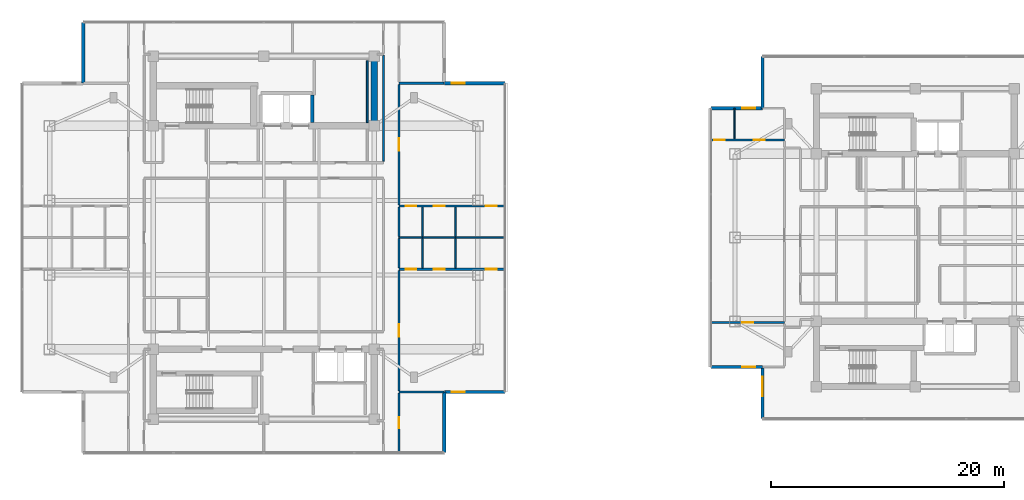
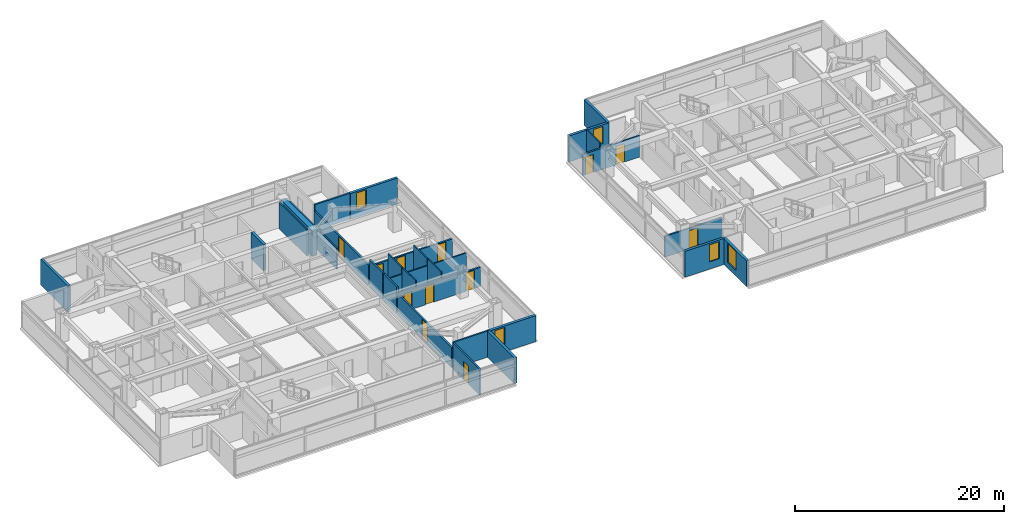
# One storey, part 14 of 24: 29 walls, 12 doors, 5 windows, 17 openings.
"""IFC4 building model written with IfcOpenShell, lengths in metres."""

from ifc_helpers import new_model, si_unit, direction, frame, frame_2d, origin, place, context, subcontext, project, spatial, rectangle, extrude, material, layer, layer_set, type_object, element, fill, save


model = new_model("IFC4")

# Units and contexts
model_context = context("Model", 3, precision=1e-05, world=origin(), true_north=direction((0.0, 1.0)))
body_context = subcontext(model_context, "Body", "Model", "MODEL_VIEW")
ifc_project = project(units=[si_unit("LENGTHUNIT", "METRE"), si_unit("AREAUNIT", "SQUARE_METRE"), si_unit("VOLUMEUNIT", "CUBIC_METRE"), si_unit("PLANEANGLEUNIT", "RADIAN"), si_unit("MASSUNIT", "GRAM", prefix="KILO")], contexts=[model_context])

# Site, building, storey
site_placement = place(None, origin())
site = spatial("IfcSite", under=ifc_project, at=site_placement, CompositionType="ELEMENT")
building_placement = place(site_placement, origin())
building = spatial("IfcBuilding", under=site, at=building_placement, Name="Mirazonda Arch Towers", CompositionType="ELEMENT")
storey_placement = place(building_placement, frame((0.0, 0.0, 199.89990234375)))
storey = spatial("IfcBuildingStorey", under=building, at=storey_placement, Name="L57", CompositionType="ELEMENT", Elevation=199.89990234375)

# Wall
ifc_material_1 = material(Name="Concrete C50/60", Category="concrete")
ifc_layer_1 = layer(ifc_material_1, 0.550048828125, Name="WALL-CORE-550")
ifc_layer_set_1 = layer_set([ifc_layer_1], Name="Concrete C50/60")
wall_type_1 = type_object("IfcWallType", Name="WALL-CORE-550", PredefinedType="SHEAR", material=ifc_layer_set_1)
wall_1_placement = place(storey_placement, frame((30.0, 37.60009765625, 0.0), z_axis=(0.0, 0.0, 1.0), x_axis=(0.0, 1.0, 0.0)))
element("IfcWall", 1, at=wall_1_placement, inside=storey, type_object=wall_type_1, Name="L57 T1N-E Core Shear Wall", PredefinedType="SHEAR", context=body_context, shape_type="SweptSolid", body=[
    extrude(rectangle(XDim=6.0, YDim=0.550048828125, at=frame_2d((3.0, 0.0))), origin(), (0.0, 0.0, 1.0), 3.050048828125),
])

# Wall, opening, window
ifc_material_2 = material(Name="Precast Concrete C40/50", Category="concrete")
ifc_layer_2 = layer(ifc_material_2, 0.280029296875, Name="WALL-EXT-WALL-280")
ifc_layer_set_2 = layer_set([ifc_layer_2], Name="Precast Concrete C40/50")
wall_type_2 = type_object("IfcWallType", Name="WALL-EXT-WALL-280", PredefinedType="SOLIDWALL", material=ifc_layer_set_2)
wall_2_placement = place(storey_placement, frame((36.014892578125, 14.735107421875, 0.0), z_axis=(0.0, 0.0, 1.0), x_axis=(1.0, 0.0, 0.0)))
wall_2 = element("IfcWall", 2, at=wall_2_placement, inside=storey, type_object=wall_type_2, Name="L57 T1 Corner Notch Return Wall WL-L57-T1-CSE1", PredefinedType="SOLIDWALL", context=body_context, shape_type="SweptSolid", body=[
    extrude(rectangle(XDim=5.215087890625, YDim=0.280029296875, at=frame_2d((2.607421875, 0.0))), origin(), (0.0, 0.0, 1.0), 3.030029296875),
])
opening_1_placement = place(wall_2_placement, frame((0.64990234375, 0.0, 0.85009765625)))
opening_1 = element("IfcOpeningElement", 3, at=opening_1_placement, cuts=wall_2, Name="Opening WN-108", PredefinedType="OPENING", context=body_context, shape_type="SweptSolid", body=[
    extrude(rectangle(XDim=1.10009765625, YDim=2.0, at=frame_2d((0.550048828125, 1.0))), frame((0.0, 0.14990234375, 0.0), z_axis=(0.0, -1.0, 0.0), x_axis=(1.0, 0.0, 0.0)), (0.0, 0.0, 1.0), 0.300048828125),
])
ifc_material_3 = material(Name="Insulated Low-E Solar Glass", Category="glass")
window_type_1 = type_object("IfcWindowType", Name="WIN-NOTCH-1100x2000", PartitioningType="SINGLE_PANEL", PredefinedType="WINDOW", material=ifc_material_3)
window_1_placement = place(opening_1_placement, origin())
window_1 = element("IfcWindow", 4, at=window_1_placement, inside=storey, type_object=window_type_1, Name="L57 Punched Facade Window WN-L57-T1-CSE1", OverallHeight=2.0, OverallWidth=1.10009765625, PartitioningType="SINGLE_PANEL", PredefinedType="WINDOW", context=body_context, shape_type="SweptSolid", body=[
    extrude(rectangle(XDim=1.10009765625, YDim=2.0, at=frame_2d((0.550048828125, 1.0))), frame((0.0, 0.030029296875, 0.0), z_axis=(0.0, -1.0, 0.0), x_axis=(1.0, 0.0, 0.0)), (0.0, 0.0, 1.0), 0.06005859375),
])
fill(opening_1, window_1)

# Walls
for number, where, z_axis, x_axis, name in (
    (5, (36.014892578125, 9.52001953125, 0.0), (0.0, 0.0, 1.0), (0.0, 1.0, 0.0), "L57 T1 Corner Notch Return Wall WL-L57-T1-CSE2"),
    (6, (4.985107421875, 46.47998046875, 0.0), (0.0, 0.0, 1.0), (0.0, -1.0, 0.0), "L57 T1 Corner Notch Return Wall WL-L57-T1-CNW2"),
):
    element("IfcWall", number, at=place(storey_placement, frame(where, z_axis=z_axis, x_axis=x_axis)), inside=storey, type_object=wall_type_2, Name=name, PredefinedType="SOLIDWALL", context=body_context, shape_type="SweptSolid", body=[
        extrude(rectangle(XDim=5.215087890625, YDim=0.280029296875, at=frame_2d((2.607421875, 0.0))), origin(), (0.0, 0.0, 1.0), 3.030029296875),
    ])

# Wall, opening, window
wall_3_placement = place(storey_placement, frame((41.22998046875, 41.264892578125, 0.0), z_axis=(0.0, 0.0, 1.0), x_axis=(-1.0, 0.0, 0.0)))
wall_3 = element("IfcWall", 7, at=wall_3_placement, inside=storey, type_object=wall_type_2, Name="L57 T1 Corner Notch Return Wall WL-L57-T1-CNE2", PredefinedType="SOLIDWALL", context=body_context, shape_type="SweptSolid", body=[
    extrude(rectangle(XDim=5.215087890625, YDim=0.280029296875, at=frame_2d((2.607421875, 0.0))), origin(), (0.0, 0.0, 1.0), 3.030029296875),
])
opening_2_placement = place(wall_3_placement, frame((3.465087890625, 0.0, 0.85009765625)))
opening_2 = element("IfcOpeningElement", 8, at=opening_2_placement, cuts=wall_3, Name="Opening WN-108", PredefinedType="OPENING", context=body_context, shape_type="SweptSolid", body=[
    extrude(rectangle(XDim=1.10009765625, YDim=2.0, at=frame_2d((0.550048828125, 1.0))), frame((0.0, 0.14990234375, 0.0), z_axis=(0.0, -1.0, 0.0), x_axis=(1.0, 0.0, 0.0)), (0.0, 0.0, 1.0), 0.300048828125),
])
window_2_placement = place(opening_2_placement, origin())
window_2 = element("IfcWindow", 9, at=window_2_placement, inside=storey, type_object=window_type_1, Name="L57 Punched Facade Window WN-L57-T1-CNE2", OverallHeight=2.0, OverallWidth=1.10009765625, PartitioningType="SINGLE_PANEL", PredefinedType="WINDOW", context=body_context, shape_type="SweptSolid", body=[
    extrude(rectangle(XDim=1.10009765625, YDim=2.0, at=frame_2d((0.550048828125, 1.0))), frame((0.0, 0.030029296875, 0.0), z_axis=(0.0, -1.0, 0.0), x_axis=(1.0, 0.0, 0.0)), (0.0, 0.0, 1.0), 0.06005859375),
])
fill(opening_2, window_2)

wall_4_placement = place(storey_placement, frame((63.372314453125, 16.884765625, 0.0), z_axis=(0.0, 0.0, 1.0), x_axis=(0.0, -1.0, 0.0)))
wall_4 = element("IfcWall", 10, at=wall_4_placement, inside=storey, type_object=wall_type_2, Name="L57 T2 Notched SW Corner Wall WL-L57-T2-CSW", PredefinedType="SOLIDWALL", context=body_context, shape_type="SweptSolid", body=[
    extrude(rectangle(XDim=4.439697265625, YDim=0.280029296875, at=frame_2d((2.2197265625, 0.0))), origin(), (0.0, 0.0, 1.0), 3.030029296875),
])
opening_3_placement = place(wall_4_placement, frame((0.85009765625, 0.0, 0.679931640625)))
opening_3 = element("IfcOpeningElement", 11, at=opening_3_placement, cuts=wall_4, Name="Opening WN-115", PredefinedType="OPENING", context=body_context, shape_type="SweptSolid", body=[
    extrude(rectangle(XDim=1.64990234375, YDim=2.199951171875, at=frame_2d((0.824951171875, 1.10009765625))), frame((0.0, 0.14990234375, 0.0), z_axis=(0.0, -1.0, 0.0), x_axis=(1.0, 0.0, 0.0)), (0.0, 0.0, 1.0), 0.300048828125),
])
window_type_2 = type_object("IfcWindowType", Name="WIN-RES-1650x2200", PartitioningType="SINGLE_PANEL", PredefinedType="WINDOW", material=ifc_material_3)
window_3_placement = place(opening_3_placement, origin())
window_3 = element("IfcWindow", 12, at=window_3_placement, inside=storey, type_object=window_type_2, Name="L57 Punched Facade Window WN-L57-T2-CSW", OverallHeight=2.199951171875, OverallWidth=1.64990234375, PartitioningType="SINGLE_PANEL", PredefinedType="WINDOW", context=body_context, shape_type="SweptSolid", body=[
    extrude(rectangle(XDim=1.64990234375, YDim=2.199951171875, at=frame_2d((0.824951171875, 1.10009765625))), frame((0.0, 0.030029296875, 0.0), z_axis=(0.0, -1.0, 0.0), x_axis=(1.0, 0.0, 0.0)), (0.0, 0.0, 1.0), 0.06005859375),
])
fill(opening_3, window_3)

wall_5_placement = place(storey_placement, frame((58.9326171875, 16.884765625, 0.0), z_axis=(0.0, 0.0, 1.0), x_axis=(1.0, 0.0, 0.0)))
wall_5 = element("IfcWall", 13, at=wall_5_placement, inside=storey, type_object=wall_type_2, Name="L57 T2 Corner Notch Return Wall WL-L57-T2-CSW2", PredefinedType="SOLIDWALL", context=body_context, shape_type="SweptSolid", body=[
    extrude(rectangle(XDim=4.439697265625, YDim=0.280029296875, at=frame_2d((2.2197265625, 0.0))), origin(), (0.0, 0.0, 1.0), 3.030029296875),
])
opening_4_placement = place(wall_5_placement, frame((2.68994140625, 0.0, 0.85009765625)))
opening_4 = element("IfcOpeningElement", 14, at=opening_4_placement, cuts=wall_5, Name="Opening WN-108", PredefinedType="OPENING", context=body_context, shape_type="SweptSolid", body=[
    extrude(rectangle(XDim=1.10009765625, YDim=2.0, at=frame_2d((0.550048828125, 1.0))), frame((0.0, 0.14990234375, 0.0), z_axis=(0.0, -1.0, 0.0), x_axis=(1.0, 0.0, 0.0)), (0.0, 0.0, 1.0), 0.300048828125),
])
window_4_placement = place(opening_4_placement, origin())
window_4 = element("IfcWindow", 15, at=window_4_placement, inside=storey, type_object=window_type_1, Name="L57 Punched Facade Window WN-L57-T2-CSW2", OverallHeight=2.0, OverallWidth=1.10009765625, PartitioningType="SINGLE_PANEL", PredefinedType="WINDOW", context=body_context, shape_type="SweptSolid", body=[
    extrude(rectangle(XDim=1.10009765625, YDim=2.0, at=frame_2d((0.550048828125, 1.0))), frame((0.0, 0.030029296875, 0.0), z_axis=(0.0, -1.0, 0.0), x_axis=(1.0, 0.0, 0.0)), (0.0, 0.0, 1.0), 0.06005859375),
])
fill(opening_4, window_4)

wall_6_placement = place(storey_placement, frame((63.372314453125, 39.115234375, 0.0), z_axis=(0.0, 0.0, 1.0), x_axis=(-1.0, 0.0, 0.0)))
wall_6 = element("IfcWall", 16, at=wall_6_placement, inside=storey, type_object=wall_type_2, Name="L57 T2 Corner Notch Return Wall WL-L57-T2-CNW1", PredefinedType="SOLIDWALL", context=body_context, shape_type="SweptSolid", body=[
    extrude(rectangle(XDim=4.439697265625, YDim=0.280029296875, at=frame_2d((2.2197265625, 0.0))), origin(), (0.0, 0.0, 1.0), 3.030029296875),
])
opening_5_placement = place(wall_6_placement, frame((0.64990234375, 0.0, 0.85009765625)))
opening_5 = element("IfcOpeningElement", 17, at=opening_5_placement, cuts=wall_6, Name="Opening WN-108", PredefinedType="OPENING", context=body_context, shape_type="SweptSolid", body=[
    extrude(rectangle(XDim=1.10009765625, YDim=2.0, at=frame_2d((0.550048828125, 1.0))), frame((0.0, 0.14990234375, 0.0), z_axis=(0.0, -1.0, 0.0), x_axis=(1.0, 0.0, 0.0)), (0.0, 0.0, 1.0), 0.300048828125),
])
window_5_placement = place(opening_5_placement, origin())
window_5 = element("IfcWindow", 18, at=window_5_placement, inside=storey, type_object=window_type_1, Name="L57 Punched Facade Window WN-L57-T2-CNW1", OverallHeight=2.0, OverallWidth=1.10009765625, PartitioningType="SINGLE_PANEL", PredefinedType="WINDOW", context=body_context, shape_type="SweptSolid", body=[
    extrude(rectangle(XDim=1.10009765625, YDim=2.0, at=frame_2d((0.550048828125, 1.0))), frame((0.0, 0.030029296875, 0.0), z_axis=(0.0, -1.0, 0.0), x_axis=(1.0, 0.0, 0.0)), (0.0, 0.0, 1.0), 0.06005859375),
])
fill(opening_5, window_5)

# Walls
wall_7_placement = place(storey_placement, frame((63.372314453125, 43.554931640625, 0.0), z_axis=(0.0, 0.0, 1.0), x_axis=(0.0, -1.0, 0.0)))
element("IfcWall", 19, at=wall_7_placement, inside=storey, type_object=wall_type_2, Name="L57 T2 Corner Notch Return Wall WL-L57-T2-CNW2", PredefinedType="SOLIDWALL", context=body_context, shape_type="SweptSolid", body=[
    extrude(rectangle(XDim=4.439697265625, YDim=0.280029296875, at=frame_2d((2.2197265625, 0.0))), origin(), (0.0, 0.0, 1.0), 3.030029296875),
])
ifc_material_4 = material(Name="Fire-Rated Gypsum Stud Partition")
ifc_layer_3 = layer(ifc_material_4, 0.14990234375, Name="WALL-PART-CORR-150")
ifc_layer_set_3 = layer_set([ifc_layer_3], Name="Fire-Rated Gypsum Stud Partition")
wall_type_3 = type_object("IfcWallType", Name="WALL-PART-CORR-150", PredefinedType="PARTITIONING", material=ifc_layer_set_3)
wall_8_placement = place(storey_placement, frame((29.39990234375, 37.8701171875, 0.0), z_axis=(0.0, 0.0, 1.0), x_axis=(0.0, 1.0, 0.0)))
element("IfcWall", 20, at=wall_8_placement, inside=storey, type_object=wall_type_3, Name="L57 Interior Partition 091", PredefinedType="PARTITIONING", context=body_context, shape_type="SweptSolid", body=[
    extrude(rectangle(XDim=5.329833984375, YDim=0.14990234375, at=frame_2d((2.6650390625, 0.0))), origin(), (0.0, 0.0, 1.0), 3.050048828125),
])
wall_9_placement = place(storey_placement, frame((30.780029296875, 34.570068359375, 0.0), z_axis=(0.0, 0.0, 1.0), x_axis=(0.0, 1.0, 0.0)))
element("IfcWall", 21, at=wall_9_placement, inside=storey, type_object=wall_type_3, Name="L57 Interior Partition 095", PredefinedType="PARTITIONING", context=body_context, shape_type="SweptSolid", body=[
    extrude(rectangle(XDim=9.094970703125, YDim=0.14990234375, at=frame_2d((4.54736328125, 0.0))), origin(), (0.0, 0.0, 1.0), 2.442138671875),
])
ifc_material_5 = material(Name="Fire-Rated Gypsum Twin-Stud Assembly")
ifc_layer_4 = layer(ifc_material_5, 0.179931640625, Name="WALL-PART-DEMISE-180")
ifc_layer_set_4 = layer_set([ifc_layer_4], Name="Fire-Rated Gypsum Twin-Stud Assembly")
wall_type_4 = type_object("IfcWallType", Name="WALL-PART-DEMISE-180", PredefinedType="PARTITIONING", material=ifc_layer_set_4)
wall_10_placement = place(storey_placement, frame((32.1201171875, 14.735107421875, 0.0), z_axis=(0.0, 0.0, 1.0), x_axis=(1.0, 0.0, 0.0)))
element("IfcWall", 22, at=wall_10_placement, inside=storey, type_object=wall_type_4, Name="L57 Interior Partition 005", PredefinedType="PARTITIONING", context=body_context, shape_type="SweptSolid", body=[
    extrude(rectangle(XDim=3.875, YDim=0.179931640625, at=frame_2d((1.9375, 0.0))), origin(), (0.0, 0.0, 1.0), 3.050048828125),
])

# Wall, opening, door
wall_11_placement = place(storey_placement, frame((58.931884765625, 20.68505859375, 0.0), z_axis=(0.0, 0.0, 1.0), x_axis=(1.0, 0.0, 0.0)))
wall_11 = element("IfcWall", 23, at=wall_11_placement, inside=storey, type_object=wall_type_4, Name="L57 Interior Partition 017", PredefinedType="PARTITIONING", context=body_context, shape_type="SweptSolid", body=[
    extrude(rectangle(XDim=6.318115234375, YDim=0.179931640625, at=frame_2d((3.1591796875, 0.0))), origin(), (0.0, 0.0, 1.0), 2.442138671875),
])
opening_6_placement = place(wall_11_placement, frame((2.68408203125, 0.0, 0.0)))
opening_6 = element("IfcOpeningElement", 24, at=opening_6_placement, cuts=wall_11, Name="Opening DR-104", PredefinedType="OPENING", context=body_context, shape_type="SweptSolid", body=[
    extrude(rectangle(XDim=0.949951171875, YDim=2.14990234375, at=frame_2d((0.47509765625, 1.074951171875))), frame((0.0, 0.099853515625, 0.0), z_axis=(0.0, -1.0, 0.0), x_axis=(1.0, 0.0, 0.0)), (0.0, 0.0, 1.0), 0.199951171875),
])
ifc_material_6 = material(Name="Architectural Brushed Steel S355", Category="steel")
door_type_1 = type_object("IfcDoorType", Name="DOOR-ROOM-950", OperationType="NOTDEFINED", PredefinedType="DOOR", material=ifc_material_6)
door_1_placement = place(opening_6_placement, origin())
door_1 = element("IfcDoor", 25, at=door_1_placement, inside=storey, type_object=door_type_1, Name="L57 Residence 1 Principal Bedroom Door", OperationType="SINGLE_SWING_RIGHT", OverallHeight=2.14990234375, OverallWidth=0.949951171875, PredefinedType="DOOR", context=body_context, shape_type="SweptSolid", body=[
    extrude(rectangle(XDim=0.949951171875, YDim=2.14990234375, at=frame_2d((0.47509765625, 1.074951171875))), frame((0.0, 0.02490234375, 0.0), z_axis=(0.0, -1.0, 0.0), x_axis=(1.0, 0.0, 0.0)), (0.0, 0.0, 1.0), 0.050048828125),
])
fill(opening_6, door_1)

# Wall, openings, doors
wall_12_placement = place(storey_placement, frame((32.1201171875, 25.280029296875, 0.0), z_axis=(0.0, 0.0, 1.0), x_axis=(1.0, 0.0, 0.0)))
wall_12 = element("IfcWall", 26, at=wall_12_placement, inside=storey, type_object=wall_type_4, Name="L57 Interior Partition 025", PredefinedType="PARTITIONING", context=body_context, shape_type="SweptSolid", body=[
    extrude(rectangle(XDim=9.10986328125, YDim=0.179931640625, at=frame_2d((4.554931640625, 0.0))), origin(), (0.0, 0.0, 1.0), 2.26904296875),
])
opening_7_placement = place(wall_12_placement, frame((7.444091796875, 0.0, 0.0)))
opening_7 = element("IfcOpeningElement", 27, at=opening_7_placement, cuts=wall_12, Name="Opening DR-104", PredefinedType="OPENING", context=body_context, shape_type="SweptSolid", body=[
    extrude(rectangle(XDim=0.949951171875, YDim=2.14990234375, at=frame_2d((0.47509765625, 1.074951171875))), frame((0.0, 0.099853515625, 0.0), z_axis=(0.0, -1.0, 0.0), x_axis=(1.0, 0.0, 0.0)), (0.0, 0.0, 1.0), 0.199951171875),
])
opening_8_placement = place(wall_12_placement, frame((2.97900390625, 0.0, 0.0)))
opening_8 = element("IfcOpeningElement", 28, at=opening_8_placement, cuts=wall_12, Name="Opening DR-104", PredefinedType="OPENING", context=body_context, shape_type="SweptSolid", body=[
    extrude(rectangle(XDim=0.949951171875, YDim=2.14990234375, at=frame_2d((0.47509765625, 1.074951171875))), frame((0.0, 0.099853515625, 0.0), z_axis=(0.0, -1.0, 0.0), x_axis=(1.0, 0.0, 0.0)), (0.0, 0.0, 1.0), 0.199951171875),
])
opening_9_placement = place(wall_12_placement, frame((0.590087890625, 0.0, 0.0)))
opening_9 = element("IfcOpeningElement", 29, at=opening_9_placement, cuts=wall_12, Name="Opening DR-120", PredefinedType="OPENING", context=body_context, shape_type="SweptSolid", body=[
    extrude(rectangle(XDim=0.89990234375, YDim=2.10009765625, at=frame_2d((0.449951171875, 1.050048828125))), frame((0.0, 0.099853515625, 0.0), z_axis=(0.0, -1.0, 0.0), x_axis=(1.0, 0.0, 0.0)), (0.0, 0.0, 1.0), 0.199951171875),
])
door_2_placement = place(opening_7_placement, origin())
door_2 = element("IfcDoor", 30, at=door_2_placement, inside=storey, type_object=door_type_1, Name="L57 Residence 1 Principal Bedroom Door", OperationType="SINGLE_SWING_RIGHT", OverallHeight=2.14990234375, OverallWidth=0.949951171875, PredefinedType="DOOR", context=body_context, shape_type="SweptSolid", body=[
    extrude(rectangle(XDim=0.949951171875, YDim=2.14990234375, at=frame_2d((0.47509765625, 1.074951171875))), frame((0.0, 0.02490234375, 0.0), z_axis=(0.0, -1.0, 0.0), x_axis=(1.0, 0.0, 0.0)), (0.0, 0.0, 1.0), 0.050048828125),
])
fill(opening_7, door_2)
door_3_placement = place(opening_8_placement, origin())
door_3 = element("IfcDoor", 31, at=door_3_placement, inside=storey, type_object=door_type_1, Name="L57 Residence 1 Fitted Kitchen Door", OperationType="SINGLE_SWING_LEFT", OverallHeight=2.14990234375, OverallWidth=0.949951171875, PredefinedType="DOOR", context=body_context, shape_type="SweptSolid", body=[
    extrude(rectangle(XDim=0.949951171875, YDim=2.14990234375, at=frame_2d((0.47509765625, 1.074951171875))), frame((0.0, 0.02490234375, 0.0), z_axis=(0.0, -1.0, 0.0), x_axis=(1.0, 0.0, 0.0)), (0.0, 0.0, 1.0), 0.050048828125),
])
fill(opening_8, door_3)
door_type_2 = type_object("IfcDoorType", Name="DOOR-WC-900", OperationType="NOTDEFINED", PredefinedType="DOOR", material=ifc_material_6)
door_4_placement = place(opening_9_placement, origin())
door_4 = element("IfcDoor", 32, at=door_4_placement, inside=storey, type_object=door_type_2, Name="L57 Residence 1 Bathroom Door", OperationType="SINGLE_SWING_RIGHT", OverallHeight=2.10009765625, OverallWidth=0.89990234375, PredefinedType="DOOR", context=body_context, shape_type="SweptSolid", body=[
    extrude(rectangle(XDim=0.89990234375, YDim=2.10009765625, at=frame_2d((0.449951171875, 1.050048828125))), frame((0.0, 0.02490234375, 0.0), z_axis=(0.0, -1.0, 0.0), x_axis=(1.0, 0.0, 0.0)), (0.0, 0.0, 1.0), 0.050048828125),
])
fill(opening_9, door_4)

wall_13_placement = place(storey_placement, frame((32.1201171875, 30.719970703125, 0.0), z_axis=(0.0, 0.0, 1.0), x_axis=(1.0, 0.0, 0.0)))
wall_13 = element("IfcWall", 33, at=wall_13_placement, inside=storey, type_object=wall_type_4, Name="L57 Interior Partition 036", PredefinedType="PARTITIONING", context=body_context, shape_type="SweptSolid", body=[
    extrude(rectangle(XDim=9.10986328125, YDim=0.179931640625, at=frame_2d((4.554931640625, 0.0))), origin(), (0.0, 0.0, 1.0), 2.26904296875),
])
opening_10_placement = place(wall_13_placement, frame((7.444091796875, 0.0, 0.0)))
opening_10 = element("IfcOpeningElement", 34, at=opening_10_placement, cuts=wall_13, Name="Opening DR-104", PredefinedType="OPENING", context=body_context, shape_type="SweptSolid", body=[
    extrude(rectangle(XDim=0.949951171875, YDim=2.14990234375, at=frame_2d((0.47509765625, 1.074951171875))), frame((0.0, 0.099853515625, 0.0), z_axis=(0.0, -1.0, 0.0), x_axis=(1.0, 0.0, 0.0)), (0.0, 0.0, 1.0), 0.199951171875),
])
opening_11_placement = place(wall_13_placement, frame((2.97900390625, 0.0, 0.0)))
opening_11 = element("IfcOpeningElement", 35, at=opening_11_placement, cuts=wall_13, Name="Opening DR-104", PredefinedType="OPENING", context=body_context, shape_type="SweptSolid", body=[
    extrude(rectangle(XDim=0.949951171875, YDim=2.14990234375, at=frame_2d((0.47509765625, 1.074951171875))), frame((0.0, 0.099853515625, 0.0), z_axis=(0.0, -1.0, 0.0), x_axis=(1.0, 0.0, 0.0)), (0.0, 0.0, 1.0), 0.199951171875),
])
opening_12_placement = place(wall_13_placement, frame((0.590087890625, 0.0, 0.0)))
opening_12 = element("IfcOpeningElement", 36, at=opening_12_placement, cuts=wall_13, Name="Opening DR-120", PredefinedType="OPENING", context=body_context, shape_type="SweptSolid", body=[
    extrude(rectangle(XDim=0.89990234375, YDim=2.10009765625, at=frame_2d((0.449951171875, 1.050048828125))), frame((0.0, 0.099853515625, 0.0), z_axis=(0.0, -1.0, 0.0), x_axis=(1.0, 0.0, 0.0)), (0.0, 0.0, 1.0), 0.199951171875),
])
door_5_placement = place(opening_10_placement, origin())
door_5 = element("IfcDoor", 37, at=door_5_placement, inside=storey, type_object=door_type_1, Name="L57 Residence 2 Principal Bedroom Door", OperationType="SINGLE_SWING_RIGHT", OverallHeight=2.14990234375, OverallWidth=0.949951171875, PredefinedType="DOOR", context=body_context, shape_type="SweptSolid", body=[
    extrude(rectangle(XDim=0.949951171875, YDim=2.14990234375, at=frame_2d((0.47509765625, 1.074951171875))), frame((0.0, 0.02490234375, 0.0), z_axis=(0.0, -1.0, 0.0), x_axis=(1.0, 0.0, 0.0)), (0.0, 0.0, 1.0), 0.050048828125),
])
fill(opening_10, door_5)
door_6_placement = place(opening_11_placement, origin())
door_6 = element("IfcDoor", 38, at=door_6_placement, inside=storey, type_object=door_type_1, Name="L57 Residence 2 Fitted Kitchen Door", OperationType="SINGLE_SWING_LEFT", OverallHeight=2.14990234375, OverallWidth=0.949951171875, PredefinedType="DOOR", context=body_context, shape_type="SweptSolid", body=[
    extrude(rectangle(XDim=0.949951171875, YDim=2.14990234375, at=frame_2d((0.47509765625, 1.074951171875))), frame((0.0, 0.02490234375, 0.0), z_axis=(0.0, -1.0, 0.0), x_axis=(1.0, 0.0, 0.0)), (0.0, 0.0, 1.0), 0.050048828125),
])
fill(opening_11, door_6)
door_7_placement = place(opening_12_placement, origin())
door_7 = element("IfcDoor", 39, at=door_7_placement, inside=storey, type_object=door_type_2, Name="L57 Residence 2 Bathroom Door", OperationType="SINGLE_SWING_RIGHT", OverallHeight=2.10009765625, OverallWidth=0.89990234375, PredefinedType="DOOR", context=body_context, shape_type="SweptSolid", body=[
    extrude(rectangle(XDim=0.89990234375, YDim=2.10009765625, at=frame_2d((0.449951171875, 1.050048828125))), frame((0.0, 0.02490234375, 0.0), z_axis=(0.0, -1.0, 0.0), x_axis=(1.0, 0.0, 0.0)), (0.0, 0.0, 1.0), 0.050048828125),
])
fill(opening_12, door_7)

wall_14_placement = place(storey_placement, frame((58.931884765625, 36.39501953125, 0.0), z_axis=(0.0, 0.0, 1.0), x_axis=(1.0, 0.0, 0.0)))
wall_14 = element("IfcWall", 40, at=wall_14_placement, inside=storey, type_object=wall_type_4, Name="L57 Interior Partition 044", PredefinedType="PARTITIONING", context=body_context, shape_type="SweptSolid", body=[
    extrude(rectangle(XDim=6.318115234375, YDim=0.179931640625, at=frame_2d((3.1591796875, 0.0))), origin(), (0.0, 0.0, 1.0), 2.4931640625),
])
opening_13_placement = place(wall_14_placement, frame((3.675048828125, 0.0, 0.0)))
opening_13 = element("IfcOpeningElement", 41, at=opening_13_placement, cuts=wall_14, Name="Opening DR-104", PredefinedType="OPENING", context=body_context, shape_type="SweptSolid", body=[
    extrude(rectangle(XDim=0.949951171875, YDim=2.14990234375, at=frame_2d((0.47509765625, 1.074951171875))), frame((0.0, 0.099853515625, 0.0), z_axis=(0.0, -1.0, 0.0), x_axis=(1.0, 0.0, 0.0)), (0.0, 0.0, 1.0), 0.199951171875),
])
opening_14_placement = place(wall_14_placement, frame((0.281005859375, 0.0, 0.0)))
opening_14 = element("IfcOpeningElement", 42, at=opening_14_placement, cuts=wall_14, Name="Opening DR-120", PredefinedType="OPENING", context=body_context, shape_type="SweptSolid", body=[
    extrude(rectangle(XDim=0.89990234375, YDim=2.10009765625, at=frame_2d((0.449951171875, 1.050048828125))), frame((0.0, 0.099853515625, 0.0), z_axis=(0.0, -1.0, 0.0), x_axis=(1.0, 0.0, 0.0)), (0.0, 0.0, 1.0), 0.199951171875),
])
door_8_placement = place(opening_13_placement, origin())
door_8 = element("IfcDoor", 43, at=door_8_placement, inside=storey, type_object=door_type_1, Name="L57 Residence 1 Fitted Kitchen Door", OperationType="SINGLE_SWING_LEFT", OverallHeight=2.14990234375, OverallWidth=0.949951171875, PredefinedType="DOOR", context=body_context, shape_type="SweptSolid", body=[
    extrude(rectangle(XDim=0.949951171875, YDim=2.14990234375, at=frame_2d((0.47509765625, 1.074951171875))), frame((0.0, 0.02490234375, 0.0), z_axis=(0.0, -1.0, 0.0), x_axis=(1.0, 0.0, 0.0)), (0.0, 0.0, 1.0), 0.050048828125),
])
fill(opening_13, door_8)
door_9_placement = place(opening_14_placement, origin())
door_9 = element("IfcDoor", 44, at=door_9_placement, inside=storey, type_object=door_type_2, Name="L57 Residence 1 Bathroom Door", OperationType="SINGLE_SWING_RIGHT", OverallHeight=2.10009765625, OverallWidth=0.89990234375, PredefinedType="DOOR", context=body_context, shape_type="SweptSolid", body=[
    extrude(rectangle(XDim=0.89990234375, YDim=2.10009765625, at=frame_2d((0.449951171875, 1.050048828125))), frame((0.0, 0.02490234375, 0.0), z_axis=(0.0, -1.0, 0.0), x_axis=(1.0, 0.0, 0.0)), (0.0, 0.0, 1.0), 0.050048828125),
])
fill(opening_14, door_9)

# Wall
wall_15_placement = place(storey_placement, frame((32.1201171875, 41.264892578125, 0.0), z_axis=(0.0, 0.0, 1.0), x_axis=(1.0, 0.0, 0.0)))
element("IfcWall", 45, at=wall_15_placement, inside=storey, type_object=wall_type_4, Name="L57 Interior Partition 051", PredefinedType="PARTITIONING", context=body_context, shape_type="SweptSolid", body=[
    extrude(rectangle(XDim=3.875, YDim=0.179931640625, at=frame_2d((1.9375, 0.0))), origin(), (0.0, 0.0, 1.0), 3.050048828125),
])

# Wall, opening, door
wall_16_placement = place(storey_placement, frame((32.1201171875, 9.52001953125, 0.0), z_axis=(0.0, 0.0, 1.0), x_axis=(0.0, 1.0, 0.0)))
wall_16 = element("IfcWall", 46, at=wall_16_placement, inside=storey, type_object=wall_type_4, Name="L57 Interior Partition 097", PredefinedType="PARTITIONING", context=body_context, shape_type="SweptSolid", body=[
    extrude(rectangle(XDim=5.114990234375, YDim=0.179931640625, at=frame_2d((2.5576171875, 0.0))), origin(), (0.0, 0.0, 1.0), 3.050048828125),
])
opening_15_placement = place(wall_16_placement, frame((2.08251953125, 0.0, 0.0)))
opening_15 = element("IfcOpeningElement", 47, at=opening_15_placement, cuts=wall_16, Name="Opening DR-104", PredefinedType="OPENING", context=body_context, shape_type="SweptSolid", body=[
    extrude(rectangle(XDim=0.949951171875, YDim=2.14990234375, at=frame_2d((0.47509765625, 1.074951171875))), frame((0.0, 0.099853515625, 0.0), z_axis=(0.0, -1.0, 0.0), x_axis=(1.0, 0.0, 0.0)), (0.0, 0.0, 1.0), 0.199951171875),
])
door_10_placement = place(opening_15_placement, origin())
door_10 = element("IfcDoor", 48, at=door_10_placement, inside=storey, type_object=door_type_1, Name="L57 South Panoramic Study Alcove East Door", OperationType="SINGLE_SWING_RIGHT", OverallHeight=2.14990234375, OverallWidth=0.949951171875, PredefinedType="DOOR", context=body_context, shape_type="SweptSolid", body=[
    extrude(rectangle(XDim=0.949951171875, YDim=2.14990234375, at=frame_2d((0.47509765625, 1.074951171875))), frame((0.0, 0.02490234375, 0.0), z_axis=(0.0, -1.0, 0.0), x_axis=(1.0, 0.0, 0.0)), (0.0, 0.0, 1.0), 0.050048828125),
])
fill(opening_15, door_10)

wall_17_placement = place(storey_placement, frame((32.1201171875, 14.8349609375, 0.0), z_axis=(0.0, 0.0, 1.0), x_axis=(0.0, 1.0, 0.0)))
wall_17 = element("IfcWall", 49, at=wall_17_placement, inside=storey, type_object=wall_type_4, Name="L57 Interior Partition 098", PredefinedType="PARTITIONING", context=body_context, shape_type="SweptSolid", body=[
    extrude(rectangle(XDim=10.344970703125, YDim=0.179931640625, at=frame_2d((5.17236328125, 0.0))), origin(), (0.0, 0.0, 1.0), 2.34619140625),
])
opening_16_placement = place(wall_17_placement, frame((4.6474609375, 0.0, 0.0)))
opening_16 = element("IfcOpeningElement", 50, at=opening_16_placement, cuts=wall_17, Name="Opening DR-121", PredefinedType="OPENING", context=body_context, shape_type="SweptSolid", body=[
    extrude(rectangle(XDim=1.050048828125, YDim=2.199951171875, at=frame_2d((0.52490234375, 1.10009765625))), frame((0.0, 0.099853515625, 0.0), z_axis=(0.0, -1.0, 0.0), x_axis=(1.0, 0.0, 0.0)), (0.0, 0.0, 1.0), 0.199951171875),
])
door_type_3 = type_object("IfcDoorType", Name="DOOR-SUITE-FD60-1050", OperationType="NOTDEFINED", PredefinedType="DOOR", material=ifc_material_6)
door_11_placement = place(opening_16_placement, origin())
door_11 = element("IfcDoor", 51, at=door_11_placement, inside=storey, type_object=door_type_3, Name="L57 Penthouse Residence 1 Living & Dining Salon Door", OperationType="SINGLE_SWING_LEFT", OverallHeight=2.199951171875, OverallWidth=1.050048828125, PredefinedType="DOOR", context=body_context, shape_type="SweptSolid", body=[
    extrude(rectangle(XDim=1.050048828125, YDim=2.199951171875, at=frame_2d((0.52490234375, 1.10009765625))), frame((0.0, 0.02490234375, 0.0), z_axis=(0.0, -1.0, 0.0), x_axis=(1.0, 0.0, 0.0)), (0.0, 0.0, 1.0), 0.050048828125),
])
fill(opening_16, door_11)

# Walls
for number, where, z_axis, x_axis, name in (
    (52, (32.1201171875, 25.3798828125, 0.0), (0.0, 0.0, 1.0), (0.0, 1.0, 0.0), "L57 Interior Partition 099"),
    (53, (32.1201171875, 28.072509765625, 0.0), (0.0, 0.0, 1.0), (0.0, 1.0, 0.0), "L57 Interior Partition 100"),
):
    element("IfcWall", number, at=place(storey_placement, frame(where, z_axis=z_axis, x_axis=x_axis)), inside=storey, type_object=wall_type_4, Name=name, PredefinedType="PARTITIONING", context=body_context, shape_type="SweptSolid", body=[
        extrude(rectangle(XDim=2.547607421875, YDim=0.179931640625, at=frame_2d((1.27392578125, 0.0))), origin(), (0.0, 0.0, 1.0), 3.050048828125),
    ])

# Wall, opening, door
wall_18_placement = place(storey_placement, frame((32.1201171875, 30.820068359375, 0.0), z_axis=(0.0, 0.0, 1.0), x_axis=(0.0, 1.0, 0.0)))
wall_18 = element("IfcWall", 54, at=wall_18_placement, inside=storey, type_object=wall_type_4, Name="L57 Interior Partition 101", PredefinedType="PARTITIONING", context=body_context, shape_type="SweptSolid", body=[
    extrude(rectangle(XDim=10.344970703125, YDim=0.179931640625, at=frame_2d((5.17236328125, 0.0))), origin(), (0.0, 0.0, 1.0), 2.34619140625),
])
opening_17_placement = place(wall_18_placement, frame((4.6474609375, 0.0, 0.0)))
opening_17 = element("IfcOpeningElement", 55, at=opening_17_placement, cuts=wall_18, Name="Opening DR-121", PredefinedType="OPENING", context=body_context, shape_type="SweptSolid", body=[
    extrude(rectangle(XDim=1.050048828125, YDim=2.199951171875, at=frame_2d((0.52490234375, 1.10009765625))), frame((0.0, 0.099853515625, 0.0), z_axis=(0.0, -1.0, 0.0), x_axis=(1.0, 0.0, 0.0)), (0.0, 0.0, 1.0), 0.199951171875),
])
door_12_placement = place(opening_17_placement, origin())
door_12 = element("IfcDoor", 56, at=door_12_placement, inside=storey, type_object=door_type_3, Name="L57 Penthouse Residence 2 Living & Dining Salon Door", OperationType="SINGLE_SWING_LEFT", OverallHeight=2.199951171875, OverallWidth=1.050048828125, PredefinedType="DOOR", context=body_context, shape_type="SweptSolid", body=[
    extrude(rectangle(XDim=1.050048828125, YDim=2.199951171875, at=frame_2d((0.52490234375, 1.10009765625))), frame((0.0, 0.02490234375, 0.0), z_axis=(0.0, -1.0, 0.0), x_axis=(1.0, 0.0, 0.0)), (0.0, 0.0, 1.0), 0.050048828125),
])
fill(opening_17, door_12)

# Walls
ifc_material_7 = material(Name="Acoustic Fire-Rated Gypsum Partition")
ifc_layer_5 = layer(ifc_material_7, 0.125, Name="WALL-PART-UNIT-125")
ifc_layer_set_5 = layer_set([ifc_layer_5], Name="Acoustic Fire-Rated Gypsum Partition")
wall_type_5 = type_object("IfcWallType", Name="WALL-PART-UNIT-125", PredefinedType="PARTITIONING", material=ifc_layer_set_5)
wall_19_placement = place(storey_placement, frame((32.1201171875, 28.0, 0.0), z_axis=(0.0, 0.0, 1.0), x_axis=(1.0, 0.0, 0.0)))
element("IfcWall", 57, at=wall_19_placement, inside=storey, type_object=wall_type_5, Name="L57 Interior Partition 030", PredefinedType="PARTITIONING", context=body_context, shape_type="SweptSolid", body=[
    extrude(rectangle(XDim=9.10986328125, YDim=0.125, at=frame_2d((4.554931640625, 0.0))), origin(), (0.0, 0.0, 1.0), 2.26904296875),
])
for number, where, z_axis, x_axis, name in (
    (58, (34.159912109375, 25.3798828125, 0.0), (0.0, 0.0, 1.0), (0.0, 1.0, 0.0), "L57 Interior Partition 103"),
    (59, (34.159912109375, 28.072509765625, 0.0), (0.0, 0.0, 1.0), (0.0, 1.0, 0.0), "L57 Interior Partition 104"),
    (60, (36.988037109375, 25.3798828125, 0.0), (0.0, 0.0, 1.0), (0.0, 1.0, 0.0), "L57 Interior Partition 105"),
    (61, (36.988037109375, 28.072509765625, 0.0), (0.0, 0.0, 1.0), (0.0, 1.0, 0.0), "L57 Interior Partition 106"),
):
    element("IfcWall", number, at=place(storey_placement, frame(where, z_axis=z_axis, x_axis=x_axis)), inside=storey, type_object=wall_type_5, Name=name, PredefinedType="PARTITIONING", context=body_context, shape_type="SweptSolid", body=[
        extrude(rectangle(XDim=2.547607421875, YDim=0.125, at=frame_2d((1.27392578125, 0.0))), origin(), (0.0, 0.0, 1.0), 3.050048828125),
    ])
wall_20_placement = place(storey_placement, frame((60.9541015625, 36.4951171875, 0.0), z_axis=(0.0, 0.0, 1.0), x_axis=(0.0, 1.0, 0.0)))
element("IfcWall", 62, at=wall_20_placement, inside=storey, type_object=wall_type_5, Name="L57 Interior Partition 107", PredefinedType="PARTITIONING", context=body_context, shape_type="SweptSolid", body=[
    extrude(rectangle(XDim=2.619873046875, YDim=0.125, at=frame_2d((1.31005859375, 0.0))), origin(), (0.0, 0.0, 1.0), 3.050048828125),
])
ifc_layer_6 = layer(ifc_material_1, 0.300048828125, Name="WALL-SHAFT-300")
ifc_layer_set_6 = layer_set([ifc_layer_6], Name="Concrete C50/60")
wall_type_6 = type_object("IfcWallType", Name="WALL-SHAFT-300", PredefinedType="SOLIDWALL", material=ifc_layer_set_6)
wall_21_placement = place(storey_placement, frame((24.64990234375, 37.8701171875, 0.0), z_axis=(0.0, 0.0, 1.0), x_axis=(0.0, 1.0, 0.0)))
element("IfcWall", 63, at=wall_21_placement, inside=storey, type_object=wall_type_6, Name="L57 Interior Partition 085", PredefinedType="SOLIDWALL", context=body_context, shape_type="SweptSolid", body=[
    extrude(rectangle(XDim=2.369873046875, YDim=0.300048828125, at=frame_2d((1.18505859375, 0.0))), origin(), (0.0, 0.0, 1.0), 3.050048828125),
])

save(model, "model.ifc")
